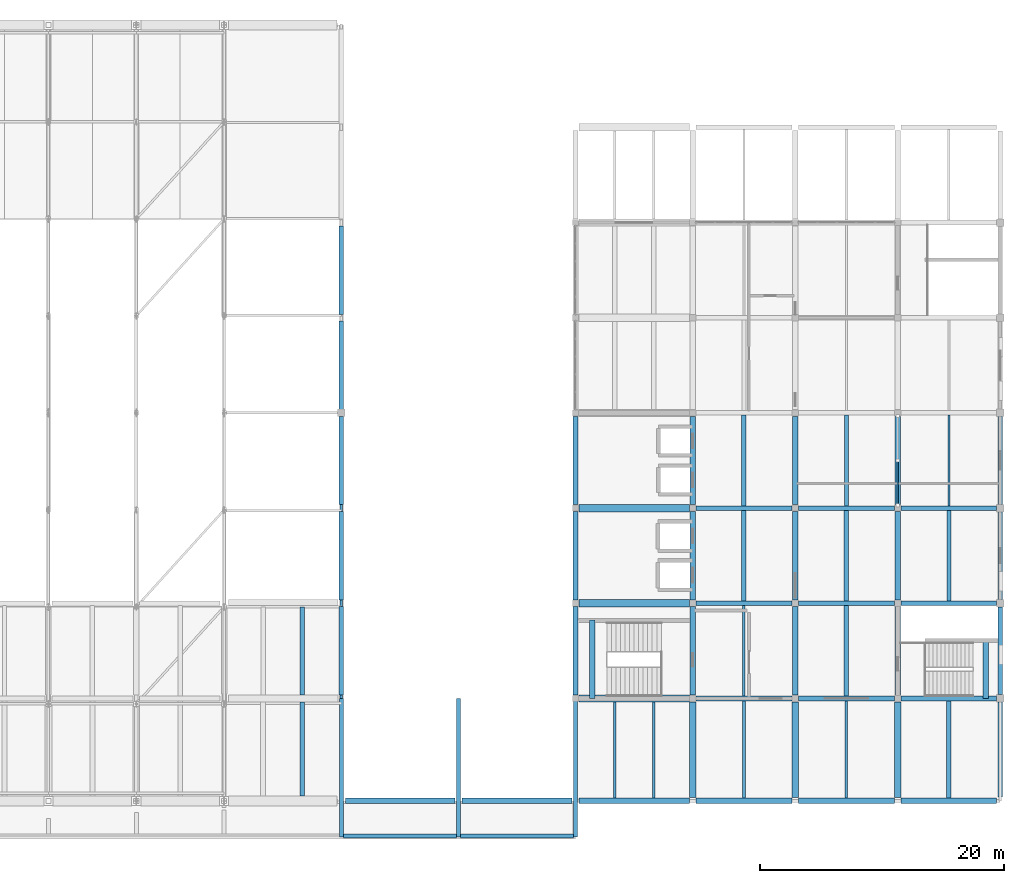
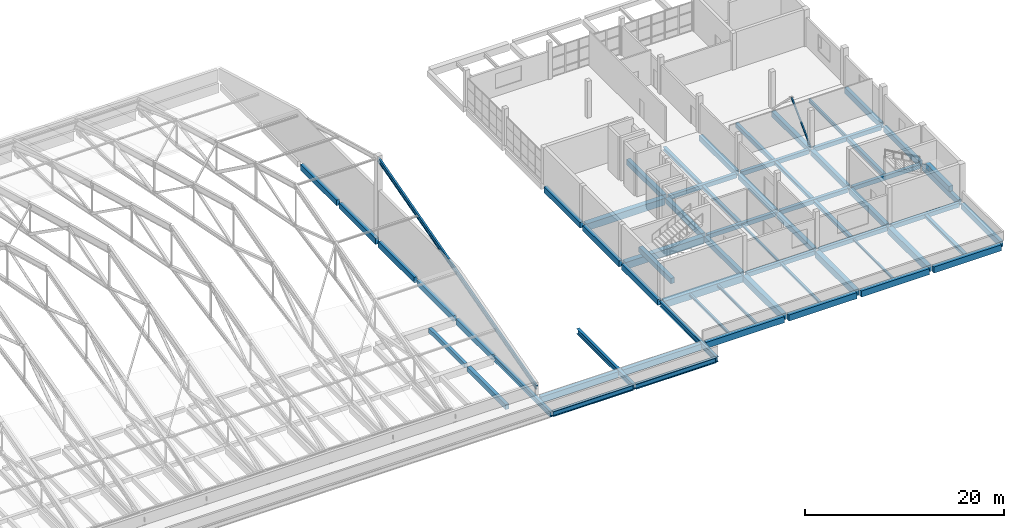
# One storey, part 25 of 53: 65 beams, 1 member.
"""IFC4 building model written with IfcOpenShell, lengths in metres."""

from ifc_helpers import new_model, si_unit, direction, frame, origin, origin_2d, place, context, subcontext, project, spatial, rectangle, hollow_rectangle, i_section, extrude, material, material_profile, profile_set, type_object, element, save


model = new_model("IFC4")

# Units and contexts
model_context = context("Model", 3, precision=1e-05, world=origin(), true_north=direction((0.0, 1.0)))
body_context = subcontext(model_context, "Body", "Model", "MODEL_VIEW")
ifc_project = project(units=[si_unit("LENGTHUNIT", "METRE"), si_unit("AREAUNIT", "SQUARE_METRE"), si_unit("VOLUMEUNIT", "CUBIC_METRE"), si_unit("PLANEANGLEUNIT", "RADIAN"), si_unit("MASSUNIT", "GRAM", prefix="KILO")], contexts=[model_context])

# Site, building, storey
site_placement = place(None, origin())
site = spatial("IfcSite", under=ifc_project, at=site_placement, CompositionType="ELEMENT")
building_placement = place(site_placement, origin())
building = spatial("IfcBuilding", under=site, at=building_placement, Name="Pellamere Symphony Hall", CompositionType="ELEMENT")
storey_placement = place(building_placement, frame((0.0, 0.0, 24.0)))
storey = spatial("IfcBuildingStorey", under=building, at=storey_placement, Name="L05", CompositionType="ELEMENT", Elevation=24.0)

# Beams
ifc_material_1 = material(Name="Concrete 40 MPa", Category="concrete")
ifc_material_profile_1 = material_profile(ifc_material_1, rectangle(XDim=0.60009765625, YDim=0.85009765625, at=origin_2d()), Name="RC 600x850")
ifc_profile_set_1 = profile_set([ifc_material_profile_1], Name="Concrete 40 MPa")
beam_type_1 = type_object("IfcBeamType", Name="RC CB-04 600x850", PredefinedType="BEAM", material=ifc_profile_set_1)
for number, where, z_axis, x_axis, name in (
    (1, (138.27490234375, 38.39990234375, -0.68505859375), (1.0, 0.0, 0.0), (0.0, 1.0, 0.0), "Girder CB-04-X2019 (L05)"),
    (2, (138.27490234375, 46.199951171875, -0.68505859375), (1.0, 0.0, 0.0), (0.0, 1.0, 0.0), "Girder CB-04-X2032 (L05)"),
    (3, (138.27490234375, 54.0, -0.68505859375), (1.0, 0.0, 0.0), (0.0, 1.0, 0.0), "Girder CB-04-X2037 (L05)"),
):
    element("IfcBeam", number, at=place(storey_placement, frame(where, z_axis=z_axis, x_axis=x_axis)), inside=storey, type_object=beam_type_1, Name=name, PredefinedType="BEAM", context=body_context, shape_type="SweptSolid", body=[
        extrude(rectangle(XDim=0.60009765625, YDim=0.85009765625, at=origin_2d()), origin(), (0.0, 0.0, 1.0), 9.050048828125),
    ])
ifc_material_profile_2 = material_profile(ifc_material_1, rectangle(XDim=0.550048828125, YDim=0.800048828125, at=origin_2d()), Name="RC 550x800")
ifc_profile_set_2 = profile_set([ifc_material_profile_2], Name="Concrete 40 MPa")
beam_type_2 = type_object("IfcBeamType", Name="RC CB-05 550x800", PredefinedType="BEAM", material=ifc_profile_set_2)
for number, where, z_axis, x_axis, name in (
    (4, (147.60009765625, 30.27490234375, -0.659912109375), (0.0, 1.0, 0.0), (-1.0, 0.0, 0.0), "Girder CB-05-Y2115 (L05)"),
    (5, (156.0, 30.27490234375, -0.659912109375), (0.0, 1.0, 0.0), (-1.0, 0.0, 0.0), "Girder CB-05-Y2122 (L05)"),
    (6, (164.39990234375, 30.27490234375, -0.659912109375), (0.0, 1.0, 0.0), (-1.0, 0.0, 0.0), "Girder CB-05-Y2129 (L05)"),
):
    element("IfcBeam", number, at=place(storey_placement, frame(where, z_axis=z_axis, x_axis=x_axis)), inside=storey, type_object=beam_type_2, Name=name, PredefinedType="BEAM", context=body_context, shape_type="SweptSolid", body=[
        extrude(rectangle(XDim=0.550048828125, YDim=0.800048828125, at=origin_2d()), origin(), (0.0, 0.0, 1.0), 7.85009765625),
    ])
ifc_material_profile_3 = material_profile(ifc_material_1, rectangle(XDim=0.449951171875, YDim=0.64990234375, at=origin_2d()), Name="RC 450x650")
ifc_profile_set_3 = profile_set([ifc_material_profile_3], Name="Concrete 40 MPa")
beam_type_3 = type_object("IfcBeamType", Name="RC CB-08 450x650", PredefinedType="BEAM", material=ifc_profile_set_3)
for number, where, z_axis, x_axis, name in (
    (7, (147.60009765625, 38.675048828125, -0.5849609375), (0.0, 1.0, 0.0), (-1.0, 0.0, 0.0), "Girder CB-08-Y2116 (L05)"),
    (8, (147.60009765625, 46.47509765625, -0.5849609375), (0.0, 1.0, 0.0), (-1.0, 0.0, 0.0), "Girder CB-08-Y2117 (L05)"),
    (9, (147.60009765625, 54.27490234375, -0.5849609375), (0.0, 1.0, 0.0), (-1.0, 0.0, 0.0), "Girder CB-08-Y2118 (L05)"),
    (10, (156.0, 38.675048828125, -0.5849609375), (0.0, 1.0, 0.0), (-1.0, 0.0, 0.0), "Girder CB-08-Y2123 (L05)"),
    (11, (156.0, 46.47509765625, -0.5849609375), (0.0, 1.0, 0.0), (-1.0, 0.0, 0.0), "Girder CB-08-Y2124 (L05)"),
    (12, (156.0, 54.27490234375, -0.5849609375), (0.0, 1.0, 0.0), (-1.0, 0.0, 0.0), "Girder CB-08-Y2125 (L05)"),
    (13, (164.39990234375, 38.675048828125, -0.5849609375), (0.0, 1.0, 0.0), (-1.0, 0.0, 0.0), "Girder CB-08-Y2130 (L05)"),
    (14, (164.39990234375, 46.47509765625, -0.5849609375), (0.0, 1.0, 0.0), (-1.0, 0.0, 0.0), "Girder CB-08-Y2131 (L05)"),
    (15, (164.39990234375, 54.27490234375, -0.5849609375), (0.0, 1.0, 0.0), (-1.0, 0.0, 0.0), "Girder CB-08-Y2132 (L05)"),
):
    element("IfcBeam", number, at=place(storey_placement, frame(where, z_axis=z_axis, x_axis=x_axis)), inside=storey, type_object=beam_type_3, Name=name, PredefinedType="BEAM", context=body_context, shape_type="SweptSolid", body=[
        extrude(rectangle(XDim=0.449951171875, YDim=0.64990234375, at=origin_2d()), origin(), (0.0, 0.0, 1.0), 7.25),
    ])
beam_1_placement = place(storey_placement, frame((139.367431640625, 38.3798828125, 1.705078125), z_axis=(0.0, 1.0, 0.0), x_axis=(-1.0, 0.0, 0.0)))
element("IfcBeam", 16, at=beam_1_placement, inside=storey, type_object=beam_type_3, Name="Stair ST02-L05 Half Landing Support Beam (L05)", PredefinedType="BEAM", context=body_context, shape_type="SweptSolid", body=[
    extrude(rectangle(XDim=0.449951171875, YDim=0.64990234375, at=origin_2d()), origin(), (0.0, 0.0, 1.0), 6.440185546875),
])
beam_2_placement = place(storey_placement, frame((171.607421875, 38.3798828125, 1.705078125), z_axis=(0.0, 1.0, 0.0), x_axis=(-1.0, 0.0, 0.0)))
element("IfcBeam", 17, at=beam_2_placement, inside=storey, type_object=beam_type_3, Name="Stair ST06-L05 Half Landing Support Beam (L05)", PredefinedType="BEAM", context=body_context, shape_type="SweptSolid", body=[
    extrude(rectangle(XDim=0.449951171875, YDim=0.64990234375, at=origin_2d()), origin(), (0.0, 0.0, 1.0), 4.780029296875),
])
ifc_material_profile_4 = material_profile(ifc_material_1, rectangle(XDim=0.39990234375, YDim=0.60009765625, at=origin_2d()), Name="RC 400x600")
ifc_profile_set_4 = profile_set([ifc_material_profile_4], Name="Concrete 40 MPa")
beam_type_4 = type_object("IfcBeamType", Name="RC CB-09 400x600", PredefinedType="BEAM", material=ifc_profile_set_4)
beam_3_placement = place(storey_placement, frame((115.60009765625, 30.39990234375, -0.574951171875), z_axis=(0.0, 1.0, 0.0), x_axis=(-1.0, 0.0, 0.0)))
element("IfcBeam", 18, at=beam_3_placement, inside=storey, type_object=beam_type_4, Name="Secondary Floor Beam CB-09-B1404 (L05)", PredefinedType="BEAM", context=body_context, shape_type="SweptSolid", body=[
    extrude(rectangle(XDim=0.39990234375, YDim=0.60009765625, at=origin_2d()), origin(), (0.0, 0.0, 1.0), 7.7001953125),
])
ifc_material_2 = material(Name="Concrete 35 MPa", Category="concrete")
ifc_material_profile_5 = material_profile(ifc_material_2, rectangle(XDim=0.35009765625, YDim=0.550048828125, at=origin_2d()), Name="RC 350x550")
ifc_profile_set_5 = profile_set([ifc_material_profile_5], Name="Concrete 35 MPa")
beam_type_5 = type_object("IfcBeamType", Name="RC CB-10 350x550", PredefinedType="BEAM", material=ifc_profile_set_5)
beam_4_placement = place(storey_placement, frame((115.60009765625, 38.699951171875, -0.550048828125), z_axis=(0.0, 1.0, 0.0), x_axis=(-1.0, 0.0, 0.0)))
element("IfcBeam", 19, at=beam_4_placement, inside=storey, type_object=beam_type_5, Name="Secondary Floor Beam CB-10-B1405 (L05)", PredefinedType="BEAM", context=body_context, shape_type="SweptSolid", body=[
    extrude(rectangle(XDim=0.35009765625, YDim=0.550048828125, at=origin_2d()), origin(), (0.0, 0.0, 1.0), 7.199951171875),
])
ifc_material_profile_6 = material_profile(ifc_material_2, rectangle(XDim=0.35009765625, YDim=0.5, at=origin_2d()), Name="RC 350x500")
ifc_profile_set_6 = profile_set([ifc_material_profile_6], Name="Concrete 35 MPa")
beam_type_6 = type_object("IfcBeamType", Name="RC CB-11 350x500", PredefinedType="BEAM", material=ifc_profile_set_6)
for number, where, z_axis, x_axis, name in (
    (20, (160.199951171875, 54.18994140625, -0.52490234375), (0.0, 1.0, 0.0), (-1.0, 0.0, 0.0), "Secondary Floor Beam CB-11-M1907 (L05)"),
    (21, (168.60009765625, 46.389892578125, -0.52490234375), (0.0, 1.0, 0.0), (-1.0, 0.0, 0.0), "Secondary Floor Beam CB-11-M2006 (L05)"),
):
    element("IfcBeam", number, at=place(storey_placement, frame(where, z_axis=z_axis, x_axis=x_axis)), inside=storey, type_object=beam_type_6, Name=name, PredefinedType="BEAM", context=body_context, shape_type="SweptSolid", body=[
        extrude(rectangle(XDim=0.35009765625, YDim=0.5, at=origin_2d()), origin(), (0.0, 0.0, 1.0), 7.420166015625),
    ])
ifc_material_profile_7 = material_profile(ifc_material_1, rectangle(XDim=0.449951171875, YDim=0.75, at=origin_2d()), Name="RC 450x750")
ifc_profile_set_7 = profile_set([ifc_material_profile_7], Name="Concrete 40 MPa")
beam_type_7 = type_object("IfcBeamType", Name="RC CB-12 450x750", PredefinedType="SPANDREL", material=ifc_profile_set_7)
beam_5_placement = place(storey_placement, frame((119.14990234375, 30.0, -0.635009765625), z_axis=(1.0, 0.0, 0.0), x_axis=(0.0, 1.0, 0.0)))
element("IfcBeam", 22, at=beam_5_placement, inside=storey, type_object=beam_type_7, Name="Girder CB-12-X2004 (L05)", PredefinedType="SPANDREL", context=body_context, shape_type="SweptSolid", body=[
    extrude(rectangle(XDim=0.449951171875, YDim=0.75, at=origin_2d()), origin(), (0.0, 0.0, 1.0), 8.97509765625),
])
for number, where, z_axis, x_axis, name in (
    (23, (128.675048828125, 30.0, -0.635009765625), (1.0, 0.0, 0.0), (0.0, 1.0, 0.0), "Girder CB-12-X2005 (L05)"),
    (24, (138.27490234375, 30.0, -0.635009765625), (1.0, 0.0, 0.0), (0.0, 1.0, 0.0), "Girder CB-12-X2006 (L05)"),
):
    element("IfcBeam", number, at=place(storey_placement, frame(where, z_axis=z_axis, x_axis=x_axis)), inside=storey, type_object=beam_type_7, Name=name, PredefinedType="SPANDREL", context=body_context, shape_type="SweptSolid", body=[
        extrude(rectangle(XDim=0.449951171875, YDim=0.75, at=origin_2d()), origin(), (0.0, 0.0, 1.0), 9.050048828125),
    ])
for number, where, z_axis, x_axis, name in (
    (25, (147.875, 30.0, -0.635009765625), (1.0, 0.0, 0.0), (0.0, 1.0, 0.0), "Girder CB-12-X2007 (L05)"),
    (26, (156.27490234375, 30.0, -0.635009765625), (1.0, 0.0, 0.0), (0.0, 1.0, 0.0), "Girder CB-12-X2008 (L05)"),
):
    element("IfcBeam", number, at=place(storey_placement, frame(where, z_axis=z_axis, x_axis=x_axis)), inside=storey, type_object=beam_type_7, Name=name, PredefinedType="SPANDREL", context=body_context, shape_type="SweptSolid", body=[
        extrude(rectangle(XDim=0.449951171875, YDim=0.75, at=origin_2d()), origin(), (0.0, 0.0, 1.0), 7.85009765625),
    ])
beam_6_placement = place(storey_placement, frame((164.675048828125, 30.0, -0.635009765625), z_axis=(1.0, 0.0, 0.0), x_axis=(0.0, 1.0, 0.0)))
element("IfcBeam", 27, at=beam_6_placement, inside=storey, type_object=beam_type_7, Name="Girder CB-12-X2009 (L05)", PredefinedType="SPANDREL", context=body_context, shape_type="SweptSolid", body=[
    extrude(rectangle(XDim=0.449951171875, YDim=0.75, at=origin_2d()), origin(), (0.0, 0.0, 1.0), 7.81494140625),
])
ifc_material_profile_8 = material_profile(ifc_material_1, rectangle(XDim=0.39990234375, YDim=0.699951171875, at=origin_2d()), Name="RC 400x700")
ifc_profile_set_8 = profile_set([ifc_material_profile_8], Name="Concrete 40 MPa")
beam_type_8 = type_object("IfcBeamType", Name="RC CB-13 400x700", PredefinedType="SPANDREL", material=ifc_profile_set_8)
for number, where, z_axis, x_axis, name in (
    (28, (118.800048828125, 38.675048828125, -0.610107421875), (0.0, 1.0, 0.0), (-1.0, 0.0, 0.0), "Girder CB-13-Y2101 (L05)"),
    (29, (118.800048828125, 46.47509765625, -0.610107421875), (0.0, 1.0, 0.0), (-1.0, 0.0, 0.0), "Girder CB-13-Y2102 (L05)"),
    (30, (118.800048828125, 54.27490234375, -0.610107421875), (0.0, 1.0, 0.0), (-1.0, 0.0, 0.0), "Girder CB-13-Y2103 (L05)"),
    (31, (118.800048828125, 62.074951171875, -0.610107421875), (0.0, 1.0, 0.0), (-1.0, 0.0, 0.0), "Girder CB-13-Y2104 (L05)"),
    (32, (118.800048828125, 69.875, -0.610107421875), (0.0, 1.0, 0.0), (-1.0, 0.0, 0.0), "Girder CB-13-Y2105 (L05)"),
    (33, (138.0, 38.675048828125, -0.610107421875), (0.0, 1.0, 0.0), (-1.0, 0.0, 0.0), "Girder CB-13-Y2109 (L05)"),
    (34, (138.0, 46.47509765625, -0.610107421875), (0.0, 1.0, 0.0), (-1.0, 0.0, 0.0), "Girder CB-13-Y2110 (L05)"),
    (35, (138.0, 54.27490234375, -0.610107421875), (0.0, 1.0, 0.0), (-1.0, 0.0, 0.0), "Girder CB-13-Y2111 (L05)"),
):
    element("IfcBeam", number, at=place(storey_placement, frame(where, z_axis=z_axis, x_axis=x_axis)), inside=storey, type_object=beam_type_8, Name=name, PredefinedType="SPANDREL", context=body_context, shape_type="SweptSolid", body=[
        extrude(rectangle(XDim=0.39990234375, YDim=0.699951171875, at=origin_2d()), origin(), (0.0, 0.0, 1.0), 7.25),
    ])
beam_7_placement = place(storey_placement, frame((172.800048828125, 30.31005859375, -0.610107421875), z_axis=(0.0, 1.0, 0.0), x_axis=(-1.0, 0.0, 0.0)))
element("IfcBeam", 36, at=beam_7_placement, inside=storey, type_object=beam_type_8, Name="Girder CB-13-Y2136 (L05)", PredefinedType="SPANDREL", context=body_context, shape_type="SweptSolid", body=[
    extrude(rectangle(XDim=0.39990234375, YDim=0.699951171875, at=origin_2d()), origin(), (0.0, 0.0, 1.0), 7.780029296875),
])
for number, where, z_axis, x_axis, name in (
    (37, (172.800048828125, 38.7099609375, -0.610107421875), (0.0, 1.0, 0.0), (-1.0, 0.0, 0.0), "Girder CB-13-Y2137 (L05)"),
    (38, (172.800048828125, 46.510009765625, -0.610107421875), (0.0, 1.0, 0.0), (-1.0, 0.0, 0.0), "Girder CB-13-Y2138 (L05)"),
    (39, (172.800048828125, 54.31005859375, -0.610107421875), (0.0, 1.0, 0.0), (-1.0, 0.0, 0.0), "Girder CB-13-Y2139 (L05)"),
):
    element("IfcBeam", number, at=place(storey_placement, frame(where, z_axis=z_axis, x_axis=x_axis)), inside=storey, type_object=beam_type_8, Name=name, PredefinedType="SPANDREL", context=body_context, shape_type="SweptSolid", body=[
        extrude(rectangle(XDim=0.39990234375, YDim=0.699951171875, at=origin_2d()), origin(), (0.0, 0.0, 1.0), 7.179931640625),
    ])
ifc_material_profile_9 = material_profile(ifc_material_1, rectangle(XDim=0.3798828125, YDim=0.52001953125, at=origin_2d()), Name="RC 380x520")
ifc_profile_set_9 = profile_set([ifc_material_profile_9], Name="Concrete 40 MPa")
beam_type_9 = type_object("IfcBeamType", Name="RC CB-21 380x520", PredefinedType="BEAM", material=ifc_profile_set_9)
for number, where, z_axis, x_axis, name in (
    (40, (147.875, 38.39990234375, -0.52001953125), (1.0, 0.0, 0.0), (0.0, 1.0, 0.0), "Girder CB-21-X2020 (L05)"),
    (41, (156.27490234375, 38.39990234375, -0.52001953125), (1.0, 0.0, 0.0), (0.0, 1.0, 0.0), "Girder CB-21-X2021 (L05)"),
):
    element("IfcBeam", number, at=place(storey_placement, frame(where, z_axis=z_axis, x_axis=x_axis)), inside=storey, type_object=beam_type_9, Name=name, PredefinedType="BEAM", context=body_context, shape_type="SweptSolid", body=[
        extrude(rectangle(XDim=0.3798828125, YDim=0.52001953125, at=origin_2d()), origin(), (0.0, 0.0, 1.0), 7.85009765625),
    ])
beam_8_placement = place(storey_placement, frame((164.675048828125, 38.39990234375, -0.52001953125), z_axis=(1.0, 0.0, 0.0), x_axis=(0.0, 1.0, 0.0)))
element("IfcBeam", 42, at=beam_8_placement, inside=storey, type_object=beam_type_9, Name="Girder CB-21-X2022 (L05)", PredefinedType="BEAM", context=body_context, shape_type="SweptSolid", body=[
    extrude(rectangle(XDim=0.3798828125, YDim=0.52001953125, at=origin_2d()), origin(), (0.0, 0.0, 1.0), 7.81494140625),
])
for number, where, z_axis, x_axis, name in (
    (43, (147.875, 46.199951171875, -0.52001953125), (1.0, 0.0, 0.0), (0.0, 1.0, 0.0), "Girder CB-21-X2033 (L05)"),
    (44, (156.27490234375, 46.199951171875, -0.52001953125), (1.0, 0.0, 0.0), (0.0, 1.0, 0.0), "Girder CB-21-X2034 (L05)"),
):
    element("IfcBeam", number, at=place(storey_placement, frame(where, z_axis=z_axis, x_axis=x_axis)), inside=storey, type_object=beam_type_9, Name=name, PredefinedType="BEAM", context=body_context, shape_type="SweptSolid", body=[
        extrude(rectangle(XDim=0.3798828125, YDim=0.52001953125, at=origin_2d()), origin(), (0.0, 0.0, 1.0), 7.85009765625),
    ])
beam_9_placement = place(storey_placement, frame((164.675048828125, 46.199951171875, -0.52001953125), z_axis=(1.0, 0.0, 0.0), x_axis=(0.0, 1.0, 0.0)))
element("IfcBeam", 45, at=beam_9_placement, inside=storey, type_object=beam_type_9, Name="Girder CB-21-X2035 (L05)", PredefinedType="BEAM", context=body_context, shape_type="SweptSolid", body=[
    extrude(rectangle(XDim=0.3798828125, YDim=0.52001953125, at=origin_2d()), origin(), (0.0, 0.0, 1.0), 7.81494140625),
])
for number, where, z_axis, x_axis, name in (
    (46, (147.875, 54.0, -0.52001953125), (1.0, 0.0, 0.0), (0.0, 1.0, 0.0), "Girder CB-21-X2038 (L05)"),
    (47, (156.27490234375, 54.0, -0.52001953125), (1.0, 0.0, 0.0), (0.0, 1.0, 0.0), "Girder CB-21-X2039 (L05)"),
):
    element("IfcBeam", number, at=place(storey_placement, frame(where, z_axis=z_axis, x_axis=x_axis)), inside=storey, type_object=beam_type_9, Name=name, PredefinedType="BEAM", context=body_context, shape_type="SweptSolid", body=[
        extrude(rectangle(XDim=0.3798828125, YDim=0.52001953125, at=origin_2d()), origin(), (0.0, 0.0, 1.0), 7.85009765625),
    ])
beam_10_placement = place(storey_placement, frame((164.675048828125, 54.0, -0.52001953125), z_axis=(1.0, 0.0, 0.0), x_axis=(0.0, 1.0, 0.0)))
element("IfcBeam", 48, at=beam_10_placement, inside=storey, type_object=beam_type_9, Name="Girder CB-21-X2040 (L05)", PredefinedType="BEAM", context=body_context, shape_type="SweptSolid", body=[
    extrude(rectangle(XDim=0.3798828125, YDim=0.52001953125, at=origin_2d()), origin(), (0.0, 0.0, 1.0), 7.81494140625),
])
ifc_material_3 = material(Name="Steel CSA G40.21 350W", Category="steel")
ifc_material_profile_10 = material_profile(ifc_material_3, i_section(OverallWidth=0.3291015625, OverallDepth=0.635009765625, WebThickness=0.017822265625, FlangeThickness=0.031005859375, at=origin_2d()), Name="W610X241")
ifc_profile_set_10 = profile_set([ifc_material_profile_10], Name="Steel CSA G40.21 350W")
beam_type_10 = type_object("IfcBeamType", Name="Steel Beam SB-09 W610X241", PredefinedType="BEAM", material=ifc_profile_set_10)
for number, where, z_axis, x_axis, name in (
    (49, (118.800048828125, 27.050048828125, -0.5849609375), (0.0, 1.0, 0.0), (-1.0, 0.0, 0.0), "Winter-Garden Roof Cantilever Girder 04"),
    (50, (128.39990234375, 27.050048828125, -0.5849609375), (0.0, 1.0, 0.0), (-1.0, 0.0, 0.0), "Winter-Garden Roof Cantilever Girder 05"),
    (51, (138.0, 27.050048828125, -0.5849609375), (0.0, 1.0, 0.0), (-1.0, 0.0, 0.0), "Winter-Garden Roof Cantilever Girder 06"),
):
    element("IfcBeam", number, at=place(storey_placement, frame(where, z_axis=z_axis, x_axis=x_axis)), inside=storey, type_object=beam_type_10, Name=name, PredefinedType="BEAM", context=body_context, shape_type="SweptSolid", body=[
        extrude(i_section(OverallWidth=0.3291015625, OverallDepth=0.635009765625, WebThickness=0.017822265625, FlangeThickness=0.031005859375, at=origin_2d()), origin(), (0.0, 0.0, 1.0), 11.349853515625),
    ])
for number, where, z_axis, x_axis, name in (
    (52, (118.965087890625, 27.1201171875, -0.5849609375), (1.0, 0.0, 0.0), (0.0, 1.0, 0.0), "Winter-Garden Roof Front Edge Girder 02"),
    (53, (128.56494140625, 27.1201171875, -0.5849609375), (1.0, 0.0, 0.0), (0.0, 1.0, 0.0), "Winter-Garden Roof Front Edge Girder 03"),
):
    element("IfcBeam", number, at=place(storey_placement, frame(where, z_axis=z_axis, x_axis=x_axis)), inside=storey, type_object=beam_type_10, Name=name, PredefinedType="BEAM", context=body_context, shape_type="SweptSolid", body=[
        extrude(i_section(OverallWidth=0.3291015625, OverallDepth=0.635009765625, WebThickness=0.017822265625, FlangeThickness=0.031005859375, at=origin_2d()), origin(), (0.0, 0.0, 1.0), 9.27001953125),
    ])
ifc_material_profile_11 = material_profile(ifc_material_3, i_section(OverallWidth=0.2109375, OverallDepth=0.5390625, WebThickness=0.01171875, FlangeThickness=0.018798828125, at=origin_2d()), Name="W530X109")
ifc_profile_set_11 = profile_set([ifc_material_profile_11], Name="Steel CSA G40.21 350W")
beam_type_11 = type_object("IfcBeamType", Name="Steel Beam SB-14 W530X109", PredefinedType="BEAM", material=ifc_profile_set_11)
beam_11_placement = place(storey_placement, frame((118.800048828125, 30.0, 0.89990234375), z_axis=(0.0, 0.964397416122, 0.264457224855), x_axis=(-1.0, 0.0, 0.0)))
element("IfcBeam", 54, at=beam_11_placement, inside=storey, type_object=beam_type_11, Name="Crystal Gable Rafter E-S", PredefinedType="BEAM", context=body_context, shape_type="SweptSolid", body=[
    extrude(i_section(OverallWidth=0.2109375, OverallDepth=0.5390625, WebThickness=0.01171875, FlangeThickness=0.018798828125, at=origin_2d()), origin(), (0.0, 0.0, 1.0), 32.97412109375),
])
ifc_material_profile_12 = material_profile(ifc_material_3, i_section(OverallWidth=0.3740234375, OverallDepth=0.3720703125, WebThickness=0.016357421875, FlangeThickness=0.026123046875, at=origin_2d()), Name="W360X196")
ifc_profile_set_12 = profile_set([ifc_material_profile_12], Name="Steel CSA G40.21 350W")
beam_type_12 = type_object("IfcBeamType", Name="Steel Beam SB-27 W360X196", PredefinedType="BEAM", material=ifc_profile_set_12)
beam_12_placement = place(storey_placement, frame((151.800048828125, 46.389892578125, -0.4609375), z_axis=(0.0, 1.0, 0.0), x_axis=(-1.0, 0.0, 0.0)))
element("IfcBeam", 55, at=beam_12_placement, inside=storey, type_object=beam_type_12, Name="Secondary Floor Beam SB-27-M1806 (L05)", PredefinedType="BEAM", context=body_context, shape_type="SweptSolid", body=[
    extrude(i_section(OverallWidth=0.3740234375, OverallDepth=0.3720703125, WebThickness=0.016357421875, FlangeThickness=0.026123046875, at=origin_2d()), origin(), (0.0, 0.0, 1.0), 7.420166015625),
])
beam_13_placement = place(storey_placement, frame((160.199951171875, 38.590087890625, -0.4609375), z_axis=(0.0, 1.0, 0.0), x_axis=(-1.0, 0.0, 0.0)))
element("IfcBeam", 56, at=beam_13_placement, inside=storey, type_object=beam_type_12, Name="Secondary Floor Beam SB-27-M1905 (L05)", PredefinedType="BEAM", context=body_context, shape_type="SweptSolid", body=[
    extrude(i_section(OverallWidth=0.3740234375, OverallDepth=0.3720703125, WebThickness=0.016357421875, FlangeThickness=0.026123046875, at=origin_2d()), origin(), (0.0, 0.0, 1.0), 7.419921875),
])
beam_14_placement = place(storey_placement, frame((168.60009765625, 30.22509765625, -0.4609375), z_axis=(0.0, 1.0, 0.0), x_axis=(-1.0, 0.0, 0.0)))
element("IfcBeam", 57, at=beam_14_placement, inside=storey, type_object=beam_type_12, Name="Secondary Floor Beam SB-27-M2004 (L05)", PredefinedType="BEAM", context=body_context, shape_type="SweptSolid", body=[
    extrude(i_section(OverallWidth=0.3740234375, OverallDepth=0.3720703125, WebThickness=0.016357421875, FlangeThickness=0.026123046875, at=origin_2d()), origin(), (0.0, 0.0, 1.0), 7.98486328125),
])
ifc_material_profile_13 = material_profile(ifc_material_3, i_section(OverallWidth=0.368896484375, OverallDepth=0.35595703125, WebThickness=0.01123046875, FlangeThickness=0.01806640625, at=origin_2d()), Name="W360X134")
ifc_profile_set_13 = profile_set([ifc_material_profile_13], Name="Steel CSA G40.21 350W")
beam_type_13 = type_object("IfcBeamType", Name="Steel Beam SB-28 W360X134", PredefinedType="BEAM", material=ifc_profile_set_13)
for number, where, z_axis, x_axis, name in (
    (58, (151.800048828125, 54.18994140625, -0.452880859375), (0.0, 1.0, 0.0), (-1.0, 0.0, 0.0), "Secondary Floor Beam SB-28-M1807 (L05)"),
    (59, (160.199951171875, 46.389892578125, -0.452880859375), (0.0, 1.0, 0.0), (-1.0, 0.0, 0.0), "Secondary Floor Beam SB-28-M1906 (L05)"),
):
    element("IfcBeam", number, at=place(storey_placement, frame(where, z_axis=z_axis, x_axis=x_axis)), inside=storey, type_object=beam_type_13, Name=name, PredefinedType="BEAM", context=body_context, shape_type="SweptSolid", body=[
        extrude(i_section(OverallWidth=0.368896484375, OverallDepth=0.35595703125, WebThickness=0.01123046875, FlangeThickness=0.01806640625, at=origin_2d()), origin(), (0.0, 0.0, 1.0), 7.420166015625),
    ])
ifc_material_profile_14 = material_profile(ifc_material_3, i_section(OverallWidth=0.19091796875, OverallDepth=0.4599609375, WebThickness=0.010009765625, FlangeThickness=0.014404296875, at=origin_2d()), Name="W460X82")
ifc_profile_set_14 = profile_set([ifc_material_profile_14], Name="Steel CSA G40.21 350W")
beam_type_14 = type_object("IfcBeamType", Name="Steel Joist SB-17 W460X82", PredefinedType="JOIST", material=ifc_profile_set_14)
beam_15_placement = place(storey_placement, frame((168.60009765625, 54.18994140625, -0.5048828125), z_axis=(0.0, 1.0, 0.0), x_axis=(-1.0, 0.0, 0.0)))
element("IfcBeam", 60, at=beam_15_placement, inside=storey, type_object=beam_type_14, Name="Secondary Floor Beam SB-17-M2007 (L05)", PredefinedType="JOIST", context=body_context, shape_type="SweptSolid", body=[
    extrude(i_section(OverallWidth=0.19091796875, OverallDepth=0.4599609375, WebThickness=0.010009765625, FlangeThickness=0.014404296875, at=origin_2d()), origin(), (0.0, 0.0, 1.0), 7.420166015625),
])
ifc_material_profile_15 = material_profile(ifc_material_3, i_section(OverallWidth=0.202880859375, OverallDepth=0.302978515625, WebThickness=0.007568359375, FlangeThickness=0.01318359375, at=origin_2d()), Name="W310X60")
ifc_profile_set_15 = profile_set([ifc_material_profile_15], Name="Steel CSA G40.21 350W")
beam_type_15 = type_object("IfcBeamType", Name="Steel Joist SB-23 W310X60", PredefinedType="JOIST", material=ifc_profile_set_15)
for number, where, z_axis, x_axis, name in (
    (61, (141.199951171875, 30.22509765625, -0.426513671875), (0.0, 1.0, 0.0), (-1.0, 0.0, 0.0), "Secondary Floor Beam SB-23-A1704 (L05)"),
    (62, (144.39990234375, 30.22509765625, -0.426513671875), (0.0, 1.0, 0.0), (-1.0, 0.0, 0.0), "Secondary Floor Beam SB-23-B1704 (L05)"),
):
    element("IfcBeam", number, at=place(storey_placement, frame(where, z_axis=z_axis, x_axis=x_axis)), inside=storey, type_object=beam_type_15, Name=name, PredefinedType="JOIST", context=body_context, shape_type="SweptSolid", body=[
        extrude(i_section(OverallWidth=0.202880859375, OverallDepth=0.302978515625, WebThickness=0.007568359375, FlangeThickness=0.01318359375, at=origin_2d()), origin(), (0.0, 0.0, 1.0), 7.875),
    ])
ifc_material_profile_16 = material_profile(ifc_material_3, i_section(OverallWidth=0.25390625, OverallDepth=0.2529296875, WebThickness=0.008544921875, FlangeThickness=0.01416015625, at=origin_2d()), Name="W250X73")
ifc_profile_set_16 = profile_set([ifc_material_profile_16], Name="Steel CSA G40.21 350W")
beam_type_16 = type_object("IfcBeamType", Name="Steel Joist SB-24 W250X73", PredefinedType="JOIST", material=ifc_profile_set_16)
beam_16_placement = place(storey_placement, frame((151.800048828125, 30.22509765625, -0.401611328125), z_axis=(0.0, 1.0, 0.0), x_axis=(-1.0, 0.0, 0.0)))
element("IfcBeam", 63, at=beam_16_placement, inside=storey, type_object=beam_type_16, Name="Secondary Floor Beam SB-24-M1804 (L05)", PredefinedType="JOIST", context=body_context, shape_type="SweptSolid", body=[
    extrude(i_section(OverallWidth=0.25390625, OverallDepth=0.2529296875, WebThickness=0.008544921875, FlangeThickness=0.01416015625, at=origin_2d()), origin(), (0.0, 0.0, 1.0), 7.98486328125),
])
ifc_material_profile_17 = material_profile(ifc_material_3, i_section(OverallWidth=0.201904296875, OverallDepth=0.2470703125, WebThickness=0.00732421875, FlangeThickness=0.010986328125, at=origin_2d()), Name="W250X49")
ifc_profile_set_17 = profile_set([ifc_material_profile_17], Name="Steel CSA G40.21 350W")
beam_type_17 = type_object("IfcBeamType", Name="Steel Joist SB-25 W250X49", PredefinedType="JOIST", material=ifc_profile_set_17)
beam_17_placement = place(storey_placement, frame((151.800048828125, 38.590087890625, -0.3984375), z_axis=(0.0, 1.0, 0.0), x_axis=(-1.0, 0.0, 0.0)))
element("IfcBeam", 64, at=beam_17_placement, inside=storey, type_object=beam_type_17, Name="Secondary Floor Beam SB-25-M1805 (L05)", PredefinedType="JOIST", context=body_context, shape_type="SweptSolid", body=[
    extrude(i_section(OverallWidth=0.201904296875, OverallDepth=0.2470703125, WebThickness=0.00732421875, FlangeThickness=0.010986328125, at=origin_2d()), origin(), (0.0, 0.0, 1.0), 7.419921875),
])
beam_18_placement = place(storey_placement, frame((160.199951171875, 30.22509765625, -0.3984375), z_axis=(0.0, 1.0, 0.0), x_axis=(-1.0, 0.0, 0.0)))
element("IfcBeam", 65, at=beam_18_placement, inside=storey, type_object=beam_type_17, Name="Secondary Floor Beam SB-25-M1904 (L05)", PredefinedType="JOIST", context=body_context, shape_type="SweptSolid", body=[
    extrude(i_section(OverallWidth=0.201904296875, OverallDepth=0.2470703125, WebThickness=0.00732421875, FlangeThickness=0.010986328125, at=origin_2d()), origin(), (0.0, 0.0, 1.0), 7.98486328125),
])

# Member
ifc_material_profile_18 = material_profile(ifc_material_3, hollow_rectangle(XDim=0.15234375, YDim=0.15234375, WallThickness=0.009521484375, at=origin_2d()), Name="HSS152X152X10")
ifc_profile_set_18 = profile_set([ifc_material_profile_18], Name="Steel CSA G40.21 350W")
member_type = type_object("IfcMemberType", Name="Steel Member SM-06 HSS152X152X10", PredefinedType="BRACE", material=ifc_profile_set_18)
member_placement = place(storey_placement, frame((164.39990234375, 54.25, 0.0), z_axis=(0.0, 0.712924338254, 0.701240962811), x_axis=(-1.0, 0.0, 0.0)))
element("IfcMember", 66, at=member_placement, inside=storey, type_object=member_type, Name="Interior Frame Chevron Brace 07A (L05)", PredefinedType="BRACE", context=body_context, shape_type="SweptSolid", body=[
    extrude(hollow_rectangle(XDim=0.15234375, YDim=0.15234375, WallThickness=0.009521484375, at=origin_2d()), origin(), (0.0, 0.0, 1.0), 5.11962890625),
])

save(model, "model.ifc")
